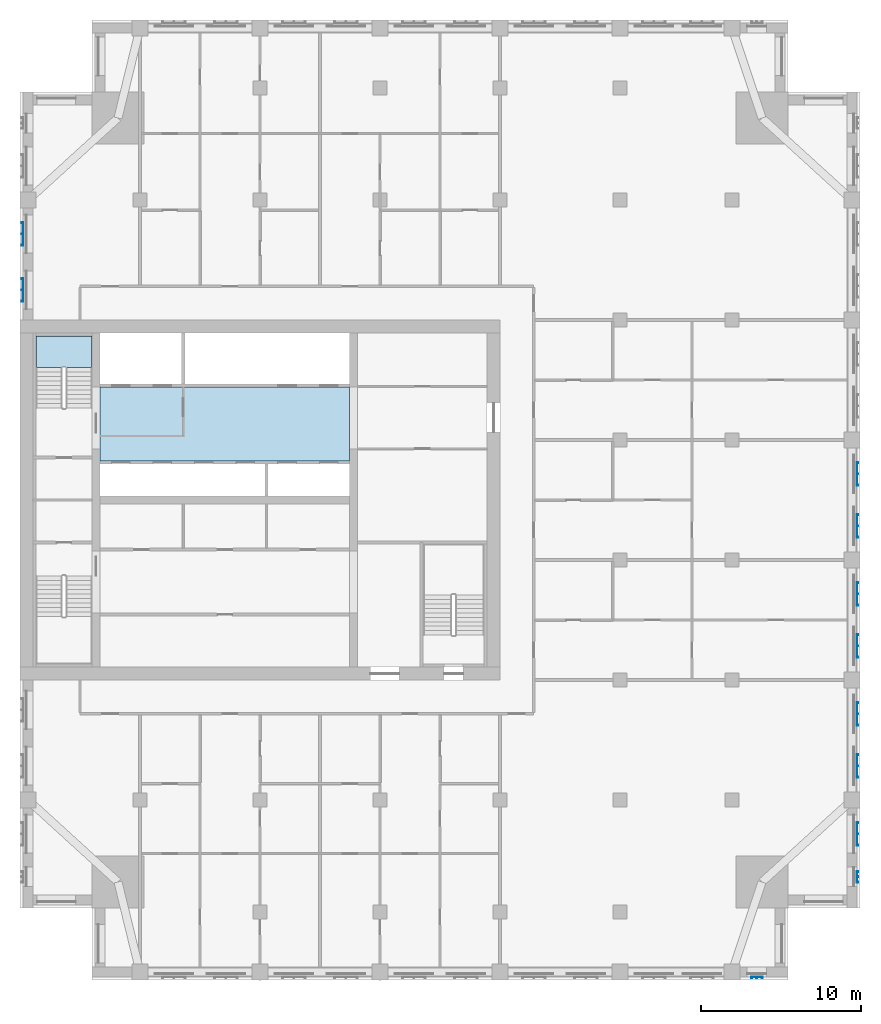
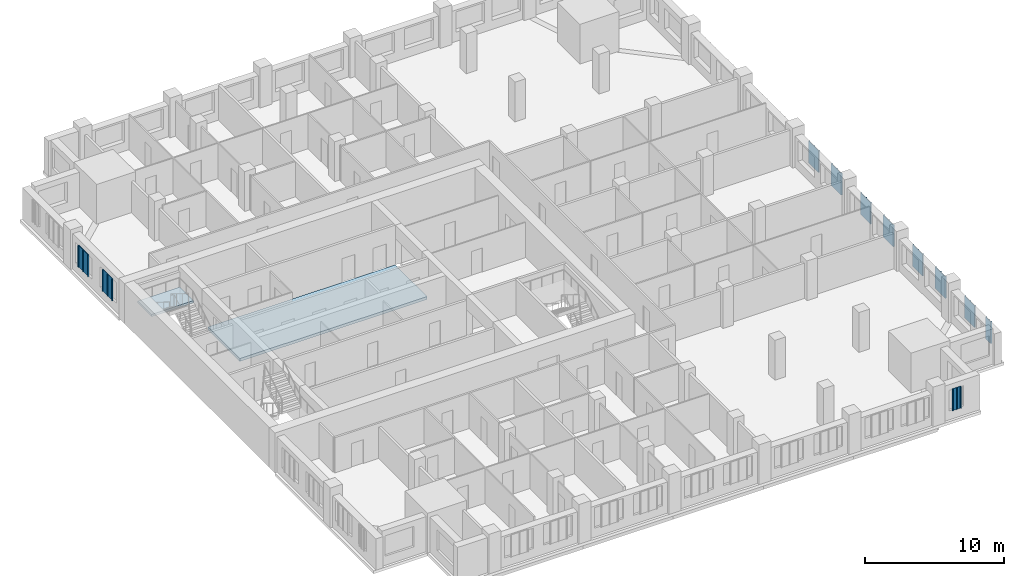
# One storey, part 4 of 14: 11 plates, 2 slabs, 1 element without a shape of its own.
"""IFC4 building model written with IfcOpenShell, lengths in metres."""

from ifc_helpers import new_model, si_unit, direction, frame, origin, place, context, subcontext, project, spatial, polyline, outline, extrude, material, layer, layer_set, type_object, element, aggregate, save


model = new_model("IFC4")

# Units and contexts
model_context = context("Model", 3, precision=1e-05, world=origin(), true_north=direction((0.0, 1.0)))
body_context = subcontext(model_context, "Body", "Model", "MODEL_VIEW")
ifc_project = project(units=[si_unit("LENGTHUNIT", "METRE"), si_unit("AREAUNIT", "SQUARE_METRE"), si_unit("VOLUMEUNIT", "CUBIC_METRE"), si_unit("PLANEANGLEUNIT", "RADIAN"), si_unit("MASSUNIT", "GRAM", prefix="KILO")], contexts=[model_context])

# Site, building, storey
site_placement = place(None, origin())
site = spatial("IfcSite", under=ifc_project, at=site_placement, CompositionType="ELEMENT")
building_placement = place(site_placement, origin())
building = spatial("IfcBuilding", under=site, at=building_placement, Name="Tamorin Gate", CompositionType="ELEMENT")
storey_placement = place(building_placement, frame((0.0, 0.0, 210.699951171875)))
storey = spatial("IfcBuildingStorey", under=building, at=storey_placement, Name="L52", CompositionType="ELEMENT", Elevation=210.699951171875)

# Slab
ifc_material_1 = material(Name="Concrete C40/50", Category="concrete")
ifc_layer_1 = layer(ifc_material_1, 0.25)
ifc_layer_set_1 = layer_set([ifc_layer_1], Name="Core floor slab 250 C40/50")
slab_type_1 = type_object("IfcSlabType", Name="Core floor slab 250 C40/50", PredefinedType="FLOOR", material=ifc_layer_set_1)
slab_1_placement = place(storey_placement, frame((0.0, 0.0, -0.25)))
element("IfcSlab", 1, at=slab_1_placement, inside=storey, type_object=slab_type_1, Name="Core floor L52", PredefinedType="FLOOR", context=body_context, shape_type="SweptSolid", body=[
    extrude(outline(polyline([(50.60009765625, 73.699951171875), (35.0, 73.699951171875), (35.0, 78.300048828125), (50.60009765625, 78.300048828125), (50.60009765625, 73.699951171875)])), origin(), (0.0, 0.0, 1.0), 0.25),
])

# Stair, slab
stair_type = type_object("IfcStairType", Name="Exit stair", PredefinedType="HALF_TURN_STAIR", material=ifc_material_1)
stair_placement = place(storey_placement, origin())
stair = element("IfcStair", 2, at=stair_placement, inside=storey, type_object=stair_type, Name="L52 stair ST2", PredefinedType="HALF_TURN_STAIR")
ifc_layer_2 = layer(ifc_material_1, 0.199951171875)
ifc_layer_set_2 = layer_set([ifc_layer_2], Name="Exit stair landing 200")
slab_type_2 = type_object("IfcSlabType", Name="Exit stair landing 200", PredefinedType="LANDING", material=ifc_layer_set_2)
slab_2_placement = place(storey_placement, frame((0.0, 0.0, 1.550048828125)))
slab_2 = element("IfcSlab", 3, at=slab_2_placement, type_object=slab_type_2, Name="ST2 landing 1", PredefinedType="LANDING", context=body_context, shape_type="SweptSolid", body=[
    extrude(outline(polyline([(34.5, 79.52001953125), (34.5, 81.5), (31.0, 81.5), (31.0, 79.52001953125), (34.5, 79.52001953125)])), origin(), (0.0, 0.0, 1.0), 0.199951171875),
])
aggregate(stair, [slab_2])

# Plates
ifc_material_2 = material(Name="Perforated pale aluminium sheet", Category="aluminium")
ifc_layer_3 = layer(ifc_material_2, 0.0400390625)
ifc_layer_set_3 = layer_set([ifc_layer_3], Name="Pale metal solar screen 1440")
plate_type_1 = type_object("IfcPlateType", Name="Pale metal solar screen 1440", PredefinedType="SHEET", material=ifc_layer_set_3)
plate_1_placement = place(storey_placement, frame((0.0, 0.0, 0.737548828125)))
element("IfcPlate", 4, at=plate_1_placement, inside=storey, type_object=plate_type_1, Name="Perforated solar screen", PredefinedType="SHEET", context=body_context, shape_type="SweptSolid", body=[
    extrude(outline(polyline([(82.340087890625, 49.655029296875), (82.300048828125, 49.655029296875), (82.300048828125, 49.715087890625), (82.300048828125, 50.344970703125), (82.300048828125, 50.405029296875), (82.300048828125, 51.034912109375), (82.300048828125, 51.094970703125), (82.300048828125, 51.094970703125), (82.340087890625, 51.094970703125), (82.340087890625, 51.094970703125), (82.39990234375, 51.094970703125), (82.39990234375, 51.034912109375), (82.340087890625, 51.034912109375), (82.340087890625, 50.405029296875), (82.39990234375, 50.405029296875), (82.39990234375, 50.344970703125), (82.340087890625, 50.344970703125), (82.340087890625, 49.715087890625), (82.39990234375, 49.715087890625), (82.39990234375, 49.655029296875), (82.340087890625, 49.655029296875)])), origin(), (0.0, 0.0, 1.0), 1.925048828125),
])
plate_2_placement = place(storey_placement, frame((0.0, 0.0, 0.737548828125)))
element("IfcPlate", 5, at=plate_2_placement, inside=storey, type_object=plate_type_1, Name="Perforated solar screen", PredefinedType="SHEET", context=body_context, shape_type="SweptSolid", body=[
    extrude(outline(polyline([(82.340087890625, 53.905029296875), (82.300048828125, 53.905029296875), (82.300048828125, 53.965087890625), (82.300048828125, 54.594970703125), (82.300048828125, 54.655029296875), (82.300048828125, 55.284912109375), (82.300048828125, 55.344970703125), (82.340087890625, 55.344970703125), (82.39990234375, 55.344970703125), (82.39990234375, 55.284912109375), (82.340087890625, 55.284912109375), (82.340087890625, 54.655029296875), (82.39990234375, 54.655029296875), (82.39990234375, 54.594970703125), (82.340087890625, 54.594970703125), (82.340087890625, 53.965087890625), (82.39990234375, 53.965087890625), (82.39990234375, 53.905029296875), (82.340087890625, 53.905029296875)])), origin(), (0.0, 0.0, 1.0), 1.925048828125),
])
plate_3_placement = place(storey_placement, frame((0.0, 0.0, 0.737548828125)))
element("IfcPlate", 6, at=plate_3_placement, inside=storey, type_object=plate_type_1, Name="Perforated solar screen", PredefinedType="SHEET", context=body_context, shape_type="SweptSolid", body=[
    extrude(outline(polyline([(82.340087890625, 57.155029296875), (82.300048828125, 57.155029296875), (82.300048828125, 57.215087890625), (82.300048828125, 57.844970703125), (82.300048828125, 57.905029296875), (82.300048828125, 58.534912109375), (82.300048828125, 58.594970703125), (82.340087890625, 58.594970703125), (82.39990234375, 58.594970703125), (82.39990234375, 58.534912109375), (82.340087890625, 58.534912109375), (82.340087890625, 57.905029296875), (82.39990234375, 57.905029296875), (82.39990234375, 57.844970703125), (82.340087890625, 57.844970703125), (82.340087890625, 57.215087890625), (82.39990234375, 57.215087890625), (82.39990234375, 57.155029296875), (82.340087890625, 57.155029296875)])), origin(), (0.0, 0.0, 1.0), 1.925048828125),
])
plate_4_placement = place(storey_placement, frame((0.0, 0.0, 0.737548828125)))
element("IfcPlate", 7, at=plate_4_placement, inside=storey, type_object=plate_type_1, Name="Perforated solar screen", PredefinedType="SHEET", context=body_context, shape_type="SweptSolid", body=[
    extrude(outline(polyline([(82.340087890625, 61.405029296875), (82.300048828125, 61.405029296875), (82.300048828125, 61.465087890625), (82.300048828125, 62.094970703125), (82.300048828125, 62.155029296875), (82.300048828125, 62.784912109375), (82.300048828125, 62.844970703125), (82.340087890625, 62.844970703125), (82.39990234375, 62.844970703125), (82.39990234375, 62.784912109375), (82.340087890625, 62.784912109375), (82.340087890625, 62.155029296875), (82.39990234375, 62.155029296875), (82.39990234375, 62.094970703125), (82.340087890625, 62.094970703125), (82.340087890625, 61.465087890625), (82.39990234375, 61.465087890625), (82.39990234375, 61.405029296875), (82.340087890625, 61.405029296875)])), origin(), (0.0, 0.0, 1.0), 1.925048828125),
])
plate_5_placement = place(storey_placement, frame((0.0, 0.0, 0.737548828125)))
element("IfcPlate", 8, at=plate_5_placement, inside=storey, type_object=plate_type_1, Name="Perforated solar screen", PredefinedType="SHEET", context=body_context, shape_type="SweptSolid", body=[
    extrude(outline(polyline([(82.340087890625, 64.655029296875), (82.300048828125, 64.655029296875), (82.300048828125, 64.715087890625), (82.300048828125, 65.344970703125), (82.300048828125, 65.405029296875), (82.300048828125, 66.034912109375), (82.300048828125, 66.094970703125), (82.340087890625, 66.094970703125), (82.39990234375, 66.094970703125), (82.39990234375, 66.034912109375), (82.340087890625, 66.034912109375), (82.340087890625, 65.405029296875), (82.39990234375, 65.405029296875), (82.39990234375, 65.344970703125), (82.340087890625, 65.344970703125), (82.340087890625, 64.715087890625), (82.39990234375, 64.715087890625), (82.39990234375, 64.655029296875), (82.340087890625, 64.655029296875)])), origin(), (0.0, 0.0, 1.0), 1.925048828125),
])
plate_6_placement = place(storey_placement, frame((0.0, 0.0, 0.737548828125)))
element("IfcPlate", 9, at=plate_6_placement, inside=storey, type_object=plate_type_1, Name="Perforated solar screen", PredefinedType="SHEET", context=body_context, shape_type="SweptSolid", body=[
    extrude(outline(polyline([(82.340087890625, 68.905029296875), (82.300048828125, 68.905029296875), (82.300048828125, 68.965087890625), (82.300048828125, 69.594970703125), (82.300048828125, 69.655029296875), (82.300048828125, 70.284912109375), (82.300048828125, 70.344970703125), (82.340087890625, 70.344970703125), (82.39990234375, 70.344970703125), (82.39990234375, 70.284912109375), (82.340087890625, 70.284912109375), (82.340087890625, 69.655029296875), (82.39990234375, 69.655029296875), (82.39990234375, 69.594970703125), (82.340087890625, 69.594970703125), (82.340087890625, 68.965087890625), (82.39990234375, 68.965087890625), (82.39990234375, 68.905029296875), (82.340087890625, 68.905029296875)])), origin(), (0.0, 0.0, 1.0), 1.925048828125),
])
plate_7_placement = place(storey_placement, frame((0.0, 0.0, 0.737548828125)))
element("IfcPlate", 10, at=plate_7_placement, inside=storey, type_object=plate_type_1, Name="Perforated solar screen", PredefinedType="SHEET", context=body_context, shape_type="SweptSolid", body=[
    extrude(outline(polyline([(82.340087890625, 72.155029296875), (82.300048828125, 72.155029296875), (82.300048828125, 72.215087890625), (82.300048828125, 72.844970703125), (82.300048828125, 72.905029296875), (82.300048828125, 73.534912109375), (82.300048828125, 73.594970703125), (82.340087890625, 73.594970703125), (82.39990234375, 73.594970703125), (82.39990234375, 73.534912109375), (82.340087890625, 73.534912109375), (82.340087890625, 72.905029296875), (82.39990234375, 72.905029296875), (82.39990234375, 72.844970703125), (82.340087890625, 72.844970703125), (82.340087890625, 72.215087890625), (82.39990234375, 72.215087890625), (82.39990234375, 72.155029296875), (82.340087890625, 72.155029296875)])), origin(), (0.0, 0.0, 1.0), 1.925048828125),
])
plate_8_placement = place(storey_placement, frame((0.0, 0.0, 0.737548828125)))
element("IfcPlate", 11, at=plate_8_placement, inside=storey, type_object=plate_type_1, Name="Perforated solar screen", PredefinedType="SHEET", context=body_context, shape_type="SweptSolid", body=[
    extrude(outline(polyline([(30.159912109375, 85.094970703125), (30.199951171875, 85.094970703125), (30.199951171875, 85.034912109375), (30.199951171875, 84.405029296875), (30.199951171875, 84.344970703125), (30.199951171875, 83.715087890625), (30.199951171875, 83.655029296875), (30.159912109375, 83.655029296875), (30.10009765625, 83.655029296875), (30.10009765625, 83.715087890625), (30.159912109375, 83.715087890625), (30.159912109375, 84.344970703125), (30.10009765625, 84.344970703125), (30.10009765625, 84.405029296875), (30.159912109375, 84.405029296875), (30.159912109375, 85.034912109375), (30.10009765625, 85.034912109375), (30.10009765625, 85.094970703125), (30.159912109375, 85.094970703125)])), origin(), (0.0, 0.0, 1.0), 1.925048828125),
])
plate_9_placement = place(storey_placement, frame((0.0, 0.0, 0.737548828125)))
element("IfcPlate", 12, at=plate_9_placement, inside=storey, type_object=plate_type_1, Name="Perforated solar screen", PredefinedType="SHEET", context=body_context, shape_type="SweptSolid", body=[
    extrude(outline(polyline([(30.159912109375, 88.594970703125), (30.199951171875, 88.594970703125), (30.199951171875, 88.534912109375), (30.199951171875, 87.905029296875), (30.199951171875, 87.844970703125), (30.199951171875, 87.215087890625), (30.199951171875, 87.155029296875), (30.159912109375, 87.155029296875), (30.10009765625, 87.155029296875), (30.10009765625, 87.215087890625), (30.159912109375, 87.215087890625), (30.159912109375, 87.844970703125), (30.10009765625, 87.844970703125), (30.10009765625, 87.905029296875), (30.159912109375, 87.905029296875), (30.159912109375, 88.534912109375), (30.10009765625, 88.534912109375), (30.10009765625, 88.594970703125), (30.159912109375, 88.594970703125)])), origin(), (0.0, 0.0, 1.0), 1.925048828125),
])
ifc_layer_4 = layer(ifc_material_2, 0.0400390625)
ifc_layer_set_4 = layer_set([ifc_layer_4], Name="Pale metal solar screen 720")
plate_type_2 = type_object("IfcPlateType", Name="Pale metal solar screen 720", PredefinedType="SHEET", material=ifc_layer_set_4)
plate_10_placement = place(storey_placement, frame((0.0, 0.0, 0.737548828125)))
element("IfcPlate", 13, at=plate_10_placement, inside=storey, type_object=plate_type_2, Name="Perforated solar screen", PredefinedType="SHEET", context=body_context, shape_type="SweptSolid", body=[
    extrude(outline(polyline([(75.68994140625, 41.409912109375), (75.68994140625, 41.449951171875), (75.75, 41.449951171875), (76.02001953125, 41.449951171875), (76.080078125, 41.449951171875), (76.35009765625, 41.449951171875), (76.409912109375, 41.449951171875), (76.409912109375, 41.409912109375), (76.409912109375, 41.35009765625), (76.35009765625, 41.35009765625), (76.35009765625, 41.409912109375), (76.080078125, 41.409912109375), (76.080078125, 41.35009765625), (76.02001953125, 41.35009765625), (76.02001953125, 41.409912109375), (75.75, 41.409912109375), (75.75, 41.35009765625), (75.68994140625, 41.35009765625), (75.68994140625, 41.409912109375)])), origin(), (0.0, 0.0, 1.0), 1.925048828125),
])
plate_11_placement = place(storey_placement, frame((0.0, 0.0, 0.737548828125)))
element("IfcPlate", 14, at=plate_11_placement, inside=storey, type_object=plate_type_2, Name="Perforated solar screen", PredefinedType="SHEET", context=body_context, shape_type="SweptSolid", body=[
    extrude(outline(polyline([(82.340087890625, 47.340087890625), (82.300048828125, 47.340087890625), (82.300048828125, 47.39990234375), (82.300048828125, 47.669921875), (82.300048828125, 47.72998046875), (82.300048828125, 48.0), (82.300048828125, 48.06005859375), (82.340087890625, 48.06005859375), (82.39990234375, 48.06005859375), (82.39990234375, 48.0), (82.340087890625, 48.0), (82.340087890625, 47.72998046875), (82.39990234375, 47.72998046875), (82.39990234375, 47.669921875), (82.340087890625, 47.669921875), (82.340087890625, 47.39990234375), (82.39990234375, 47.39990234375), (82.39990234375, 47.340087890625), (82.340087890625, 47.340087890625)])), origin(), (0.0, 0.0, 1.0), 1.925048828125),
])

save(model, "model.ifc")
